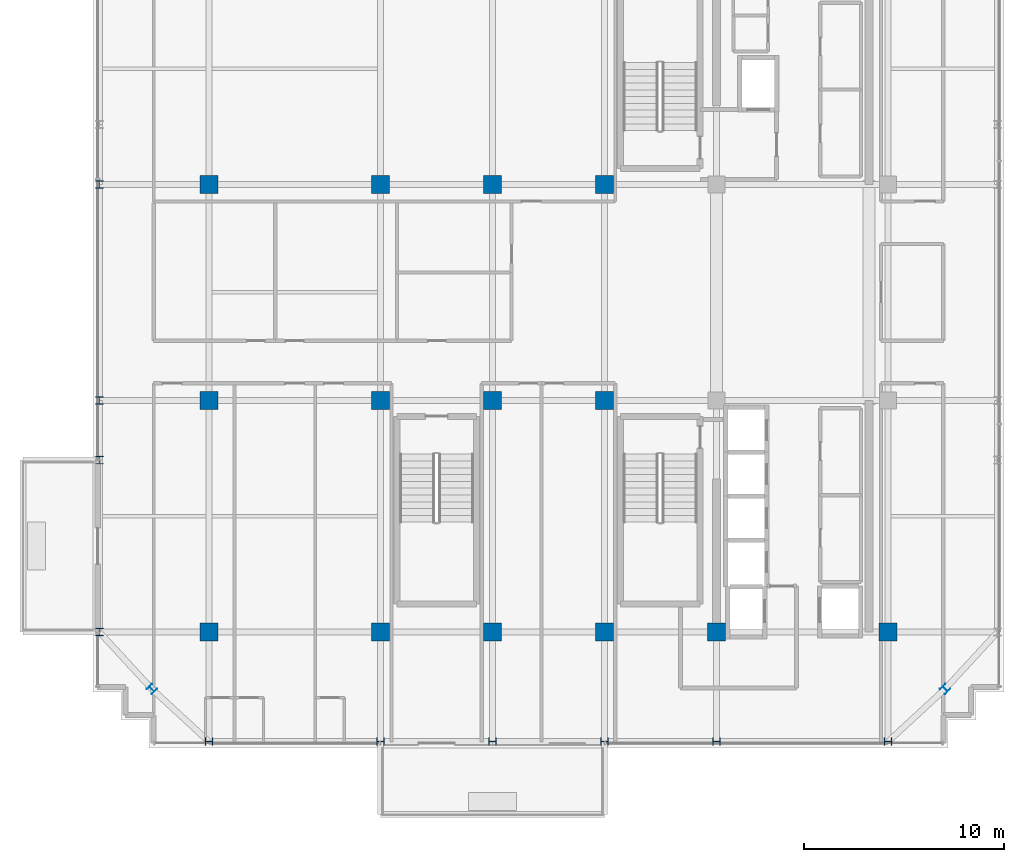
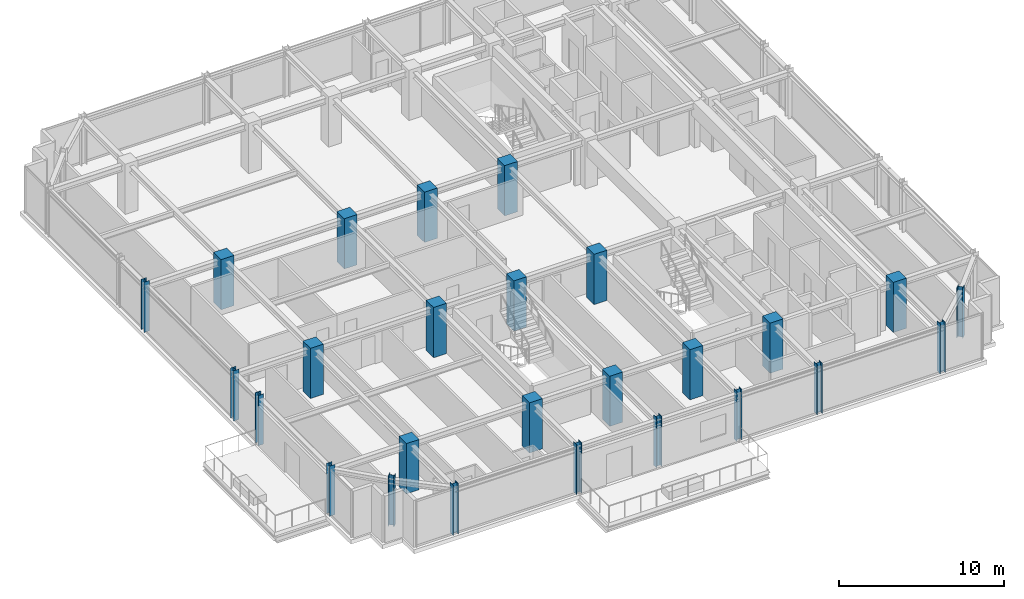
# One storey, part 1 of 31: 26 columns.
"""IFC4 building model written with IfcOpenShell, lengths in metres."""

from ifc_helpers import new_model, si_unit, direction, frame, origin, origin_2d, place, context, subcontext, project, spatial, rectangle, i_section, extrude, source, transform, mapped, material, material_profile, profile_set, type_object, element, save


model = new_model("IFC4")

# Units and contexts
model_context = context("Model", 3, precision=1e-05, world=origin(), true_north=direction((0.0, 1.0)))
body_context = subcontext(model_context, "Body", "Model", "MODEL_VIEW")
ifc_project = project(units=[si_unit("LENGTHUNIT", "METRE"), si_unit("AREAUNIT", "SQUARE_METRE"), si_unit("VOLUMEUNIT", "CUBIC_METRE"), si_unit("PLANEANGLEUNIT", "RADIAN"), si_unit("MASSUNIT", "GRAM", prefix="KILO")], contexts=[model_context])

# Site, building, storey
site_placement = place(None, origin())
site = spatial("IfcSite", under=ifc_project, at=site_placement, CompositionType="ELEMENT")
building_placement = place(site_placement, origin())
building = spatial("IfcBuilding", under=site, at=building_placement, Name="Nahalor Promenade Grand Hotel", CompositionType="ELEMENT")
storey_placement = place(building_placement, frame((0.0, 0.0, 277.550048828125)))
storey = spatial("IfcBuildingStorey", under=building, at=storey_placement, Name="L71", CompositionType="ELEMENT", Elevation=277.550048828125)

# Columns
ifc_material_1 = material(Name="Concrete B-50 (C40/50)", Category="concrete")
ifc_material_profile_1 = material_profile(ifc_material_1, rectangle(XDim=0.9, YDim=0.9, at=origin_2d()), Name="RC 900x900")
ifc_profile_set_1 = profile_set([ifc_material_profile_1], Name="Concrete B-50 (C40/50)")
column_type_1 = type_object("IfcColumnType", Name="Col-RC-900", PredefinedType="COLUMN", material=ifc_profile_set_1)
shared_shape_1 = source(origin(), body_context, "Body", "SweptSolid", [
    extrude(rectangle(XDim=0.9, YDim=0.9, at=origin_2d()), origin(), (0.0, 0.0, 1.0), 3.704833984375),
])
for number, where, z_axis, x_axis, name in (
    (1, (-17.0, -17.0, 0.0), (0.0, 0.0, 1.0), (1.0, 0.0, 0.0), "COL-L71-I00"),
    (2, (-17.0, -5.39990234375, 0.0), (0.0, 0.0, 1.0), (1.0, 0.0, 0.0), "COL-L71-I01"),
    (3, (-17.0, 5.39990234375, 0.0), (0.0, 0.0, 1.0), (1.0, 0.0, 0.0), "COL-L71-I02"),
    (4, (-8.39990234375, -17.0, 0.0), (0.0, 0.0, 1.0), (1.0, 0.0, 0.0), "COL-L71-I10"),
    (5, (-8.39990234375, -5.39990234375, 0.0), (0.0, 0.0, 1.0), (1.0, 0.0, 0.0), "COL-L71-I11"),
    (6, (-8.39990234375, 5.39990234375, 0.0), (0.0, 0.0, 1.0), (1.0, 0.0, 0.0), "COL-L71-I12"),
    (7, (-2.800048828125, -17.0, 0.0), (0.0, 0.0, 1.0), (1.0, 0.0, 0.0), "COL-L71-I20"),
    (8, (-2.800048828125, -5.39990234375, 0.0), (0.0, 0.0, 1.0), (1.0, 0.0, 0.0), "COL-L71-I21"),
    (9, (-2.800048828125, 5.39990234375, 0.0), (0.0, 0.0, 1.0), (1.0, 0.0, 0.0), "COL-L71-I22"),
    (10, (2.800048828125, -17.0, 0.0), (0.0, 0.0, 1.0), (1.0, 0.0, 0.0), "COL-L71-I30"),
    (11, (2.800048828125, -5.39990234375, 0.0), (0.0, 0.0, 1.0), (1.0, 0.0, 0.0), "COL-L71-I31"),
    (12, (2.800048828125, 5.39990234375, 0.0), (0.0, 0.0, 1.0), (1.0, 0.0, 0.0), "COL-L71-I32"),
    (13, (8.39990234375, -17.0, 0.0), (0.0, 0.0, 1.0), (1.0, 0.0, 0.0), "COL-L71-I40"),
    (14, (17.0, -17.0, 0.0), (0.0, 0.0, 1.0), (1.0, 0.0, 0.0), "COL-L71-I50"),
):
    element("IfcColumn", number, at=place(storey_placement, frame(where, z_axis=z_axis, x_axis=x_axis)), inside=storey, type_object=column_type_1, Name=name, PredefinedType="COLUMN", context=body_context, shape_type="MappedRepresentation", body=[
        mapped(shared_shape_1, transform((0.0, 0.0, 0.0), scale=1.0)),
    ])
ifc_material_2 = material(Name="Steel S355JR", Category="steel")
ifc_material_profile_2 = material_profile(ifc_material_2, i_section(OverallWidth=0.374, OverallDepth=0.374, WebThickness=0.0144, FlangeThickness=0.0229, at=origin_2d()), Name="HD 360x262")
ifc_profile_set_2 = profile_set([ifc_material_profile_2], Name="Steel S355JR")
column_type_2 = type_object("IfcColumnType", Name="Col-Steel-HD262", PredefinedType="COLUMN", material=ifc_profile_set_2)
shared_shape_2 = source(origin(), body_context, "Body", "SweptSolid", [
    extrude(i_section(OverallWidth=0.374, OverallDepth=0.374, WebThickness=0.0144, FlangeThickness=0.0229, at=origin_2d()), origin(), (0.0, 0.0, 1.0), 3.704833984375),
])
for number, where, z_axis, x_axis, name in (
    (15, (-22.47998046875, -17.0, 0.0), (0.0, 0.0, 1.0), (1.0, 0.0, 0.0), "COL-L71-PW-W0"),
    (16, (-22.47998046875, -8.39990234375, 0.0), (0.0, 0.0, 1.0), (1.0, 0.0, 0.0), "COL-L71-PW-W1"),
    (17, (-22.47998046875, -5.39990234375, 0.0), (0.0, 0.0, 1.0), (1.0, 0.0, 0.0), "COL-L71-PW-W2"),
    (18, (-22.47998046875, 5.39990234375, 0.0), (0.0, 0.0, 1.0), (1.0, 0.0, 0.0), "COL-L71-PW-W3"),
    (19, (-17.0, -22.47998046875, 0.0), (0.0, 0.0, 1.0), (0.0, 1.0, 0.0), "COL-L71-PN-S0"),
    (20, (-8.39990234375, -22.47998046875, 0.0), (0.0, 0.0, 1.0), (0.0, 1.0, 0.0), "COL-L71-PN-S1"),
    (21, (-2.800048828125, -22.47998046875, 0.0), (0.0, 0.0, 1.0), (0.0, 1.0, 0.0), "COL-L71-PN-S2"),
    (22, (2.800048828125, -22.47998046875, 0.0), (0.0, 0.0, 1.0), (0.0, 1.0, 0.0), "COL-L71-PN-S3"),
    (23, (8.39990234375, -22.47998046875, 0.0), (0.0, 0.0, 1.0), (0.0, 1.0, 0.0), "COL-L71-PN-S4"),
    (24, (17.0, -22.47998046875, 0.0), (0.0, 0.0, 1.0), (0.0, 1.0, 0.0), "COL-L71-PN-S5"),
    (25, (-19.85009765625, -19.85009765625, 0.0), (0.0, 0.0, 1.0), (0.707106781187, 0.707106781187, 0.0), "COL-L71-CRN-SW"),
    (26, (19.85009765625, -19.85009765625, 0.0), (0.0, 0.0, 1.0), (0.707106781187, 0.707106781187, 0.0), "COL-L71-CRN-SE"),
):
    element("IfcColumn", number, at=place(storey_placement, frame(where, z_axis=z_axis, x_axis=x_axis)), inside=storey, type_object=column_type_2, Name=name, PredefinedType="COLUMN", context=body_context, shape_type="MappedRepresentation", body=[
        mapped(shared_shape_2, transform((0.0, 0.0, 0.0), scale=1.0)),
    ])

save(model, "model.ifc")
